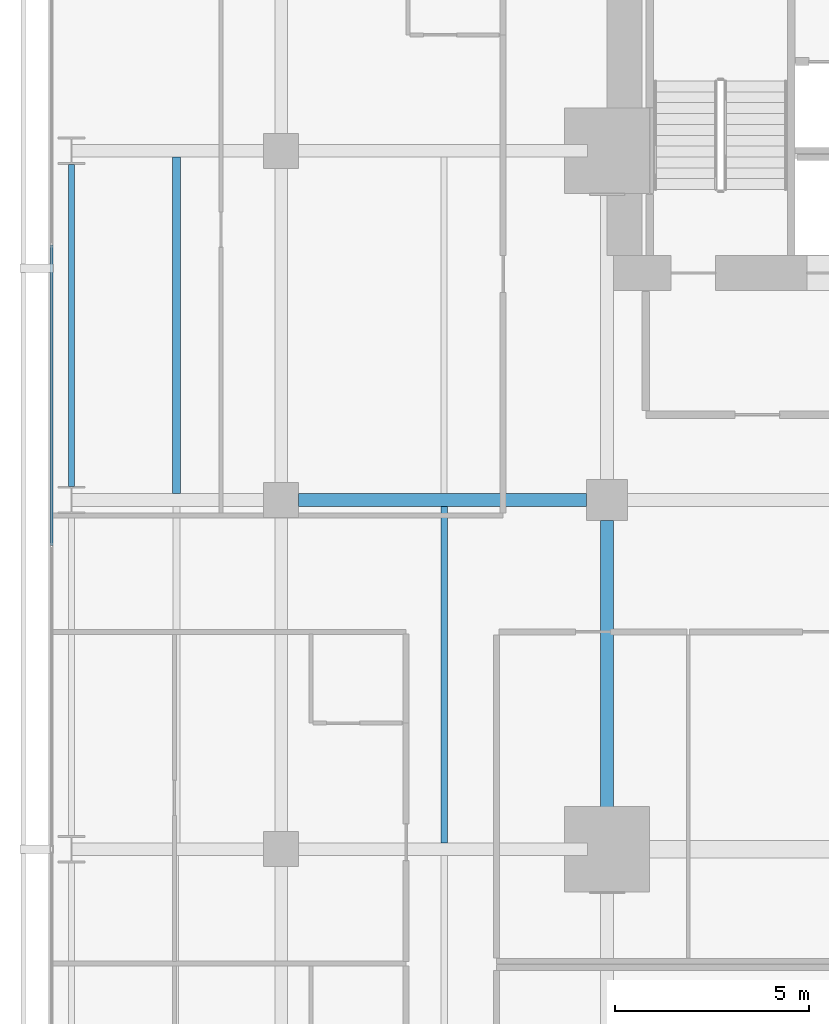
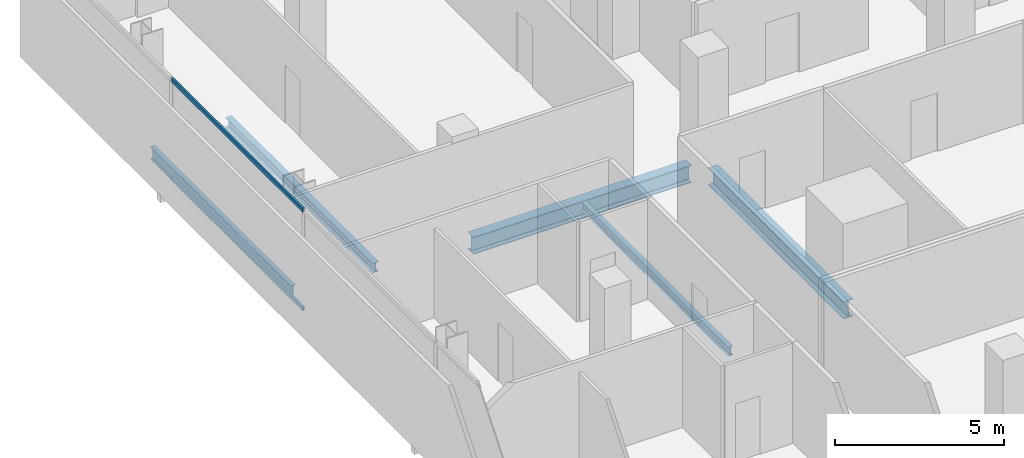
# One storey, part 22 of 40: 5 beams, 2 members, 1 element without a shape of its own.
"""IFC4 building model written with IfcOpenShell, lengths in metres."""

import ifcopenshell
import ifcopenshell.guid

model = None  # the IFC model being written
_history = None  # IfcOwnerHistory: only IFC2X3 demands one
_inside = {}  # id of a spatial element -> (the spatial element, [elements in it])
_under = {}  # id of a project, library or spatial element -> (it, [spatial elements below it])
_declared = {}  # id of a project -> (the project, [libraries it declares])
_typed = {}  # id of a type object -> (the type object, [elements of that type])
_made_of = {}  # id of a material, layer set ... -> (it, [elements and type objects made of it])


def new_model(schema):
    """Start an empty IFC model of exactly this schema.

    Asked for "IFC4X3", IfcOpenShell would pick the latest addendum, in which some entities
    have other attributes; the version numbers below select the first issue.
    IFC2X3 requires an IfcOwnerHistory on every rooted entity: one is made here for all.
    """
    global model, _history
    if schema == "IFC4X3":
        model = ifcopenshell.file(schema_version=(4, 3, 0, 0))
    else:
        model = ifcopenshell.file(schema=schema)
    _inside.clear()
    _under.clear()
    _declared.clear()
    _typed.clear()
    _made_of.clear()
    _history = None
    if model.schema == "IFC2X3":
        org = make("IfcOrganization", Name="unknown")
        user = make(
            "IfcPersonAndOrganization",
            ThePerson=make("IfcPerson", FamilyName="unknown"),
            TheOrganization=org,
        )
        app = make(
            "IfcApplication",
            ApplicationDeveloper=org,
            Version="unknown",
            ApplicationFullName="unknown",
            ApplicationIdentifier="unknown",
        )
        _history = make(
            "IfcOwnerHistory",
            OwningUser=user,
            OwningApplication=app,
            ChangeAction="ADDED",
            CreationDate=0,
        )
    return model


def make(cls, **values):
    """One entity of the class cls with the attributes given. An attribute that is None is left unset."""
    return model.create_entity(
        cls, **{name: value for name, value in values.items() if value is not None}
    )


def rooted(cls, **values):
    """An entity with a GlobalId (a new one), such as an element, a storey or a relation."""
    return make(cls, GlobalId=ifcopenshell.guid.new(), OwnerHistory=_history, **values)


def si_unit(unit_type, name, prefix=None):
    """IfcSIUnit, for example si_unit("LENGTHUNIT", "METRE", prefix="MILLI")."""
    return make("IfcSIUnit", UnitType=unit_type, Prefix=prefix, Name=name)


def assignment(units):
    """IfcUnitAssignment: the units of a project."""
    return None if units is None else make("IfcUnitAssignment", Units=units)


def point(xyz):
    """IfcCartesianPoint."""
    return None if xyz is None else make("IfcCartesianPoint", Coordinates=xyz)


def direction(xyz):
    """IfcDirection."""
    return None if xyz is None else make("IfcDirection", DirectionRatios=xyz)


def frame(location, z_axis=None, x_axis=None):
    """IfcAxis2Placement3D, a coordinate frame: its origin and axes. An axis left out is left unset."""
    return make(
        "IfcAxis2Placement3D",
        Location=point(location),
        Axis=direction(z_axis),
        RefDirection=direction(x_axis),
    )


def frame_2d(location, x_axis=None):
    """IfcAxis2Placement2D, a coordinate frame in the plane: its origin and x axis."""
    return make(
        "IfcAxis2Placement2D", Location=point(location), RefDirection=direction(x_axis)
    )


def origin():
    """The frame at (0, 0, 0) with its axes left unset."""
    return frame((0.0, 0.0, 0.0))


def origin_2d():
    """The frame at (0, 0) in the plane with its x axis left unset."""
    return frame_2d((0.0, 0.0))


def place(relative_to, where):
    """IfcLocalPlacement: puts the frame where relative to a parent placement (None: the world)."""
    return make(
        "IfcLocalPlacement", PlacementRelTo=relative_to, RelativePlacement=where
    )


def context(
    kind, dimensions, precision=None, world=None, true_north=None, identifier=None
):
    """IfcGeometricRepresentationContext, for example the 3D "Model" context."""
    return make(
        "IfcGeometricRepresentationContext",
        ContextIdentifier=identifier,
        ContextType=kind,
        CoordinateSpaceDimension=dimensions,
        Precision=precision,
        WorldCoordinateSystem=world,
        TrueNorth=true_north,
    )


def subcontext(parent, identifier, kind, view, scale=None):
    """IfcGeometricRepresentationSubContext, for example "Body" below "Model"."""
    return make(
        "IfcGeometricRepresentationSubContext",
        ContextIdentifier=identifier,
        ContextType=kind,
        ParentContext=parent,
        TargetScale=scale,
        TargetView=view,
    )


def project(units=None, contexts=None):
    """IfcProject with its units and contexts."""
    return rooted(
        "IfcProject",
        Name="project",
        RepresentationContexts=contexts,
        UnitsInContext=assignment(units),
    )


def spatial(cls, under=None, at=None, **own):
    """A site, building, storey or space (cls), placed at a placement, below another one or the project."""
    s = rooted(cls, ObjectPlacement=at, **own)
    if under is not None:
        _under.setdefault(under.id(), (under, []))[1].append(s)
    return s


def profile(cls, at=None, kind="AREA", **sizes):
    """A parametric profile (cls). Its sizes go by their IFC names, for example OverallWidth=200.0."""
    return make(cls, ProfileType=kind, Position=at, **sizes)


def hollow_rectangle(**sizes):
    """IfcRectangleHollowProfileDef."""
    return profile("IfcRectangleHollowProfileDef", **sizes)


def i_section(**sizes):
    """IfcIShapeProfileDef."""
    return profile("IfcIShapeProfileDef", **sizes)


def extrude(swept, where, along, depth):
    """IfcExtrudedAreaSolid: the profile swept, set in the frame where, extruded along a direction by depth."""
    return make(
        "IfcExtrudedAreaSolid",
        SweptArea=swept,
        Position=where,
        ExtrudedDirection=direction(along),
        Depth=depth,
    )


def shape(context_of_items, identifier, shape_type, items):
    """IfcShapeRepresentation: the items that make up one representation, for example the "Body"."""
    return make(
        "IfcShapeRepresentation",
        ContextOfItems=context_of_items,
        RepresentationIdentifier=identifier,
        RepresentationType=shape_type,
        Items=items,
    )


def material(Name=None, Category=None):
    """IfcMaterial."""
    return make("IfcMaterial", Name=Name, Category=Category)


def layer(
    of_material, thickness, ventilated=None, Name=None, Category=None, Priority=None
):
    """IfcMaterialLayer: one layer of a wall or slab, of a material (None: an air gap)."""
    return make(
        "IfcMaterialLayer",
        Material=of_material,
        LayerThickness=thickness,
        IsVentilated=ventilated,
        Name=Name,
        Category=Category,
        Priority=Priority,
    )


def layer_set(layers, Name=None):
    """IfcMaterialLayerSet."""
    return make("IfcMaterialLayerSet", MaterialLayers=layers, LayerSetName=Name)


def material_profile(
    of_material, cross_section, Name=None, Category=None, Priority=None
):
    """IfcMaterialProfile: a cross section and its material."""
    return make(
        "IfcMaterialProfile",
        Name=Name,
        Material=of_material,
        Profile=cross_section,
        Priority=Priority,
        Category=Category,
    )


def profile_set(profiles, Name=None, composite=None):
    """IfcMaterialProfileSet."""
    return make(
        "IfcMaterialProfileSet",
        Name=Name,
        MaterialProfiles=profiles,
        CompositeProfile=composite,
    )


def made_of(thing, what):
    """Note that an element or type object is made of a material, layer set ...; save() writes the relation."""
    if what is not None:
        _made_of.setdefault(what.id(), (what, []))[1].append(thing)
    return thing


def type_object(cls, material=None, **own):
    """A type object (cls), such as IfcWallType, which elements share."""
    return made_of(rooted(cls, **own), material)


def element(
    cls,
    number,
    at=None,
    inside=None,
    cuts=None,
    type_object=None,
    material=None,
    context=None,
    identifier="Body",
    shape_type=None,
    held_by="IfcProductDefinitionShape",
    body=None,
    shapes=None,
    **own,
):
    """One element of the class cls, such as IfcWall. Its Tag is "e" and its number.

    at: its placement. inside: the storey or other place that contains it. cuts: it is an
    opening in that element (IfcRelVoidsElement). A single representation is given by context,
    identifier, shape_type and body (its items); several are given by shapes. held_by: the class
    of the entity that holds the representations. save() writes the other relations.
    """
    e = rooted(cls, Tag="e%d" % number, ObjectPlacement=at, **own)
    if body is not None:
        shapes = [shape(context, identifier, shape_type, body)]
    if shapes is not None:
        e.Representation = make(held_by, Representations=shapes)
    if inside is not None:
        _inside.setdefault(inside.id(), (inside, []))[1].append(e)
    if cuts is not None:
        rooted(
            "IfcRelVoidsElement", RelatingBuildingElement=cuts, RelatedOpeningElement=e
        )
    if type_object is not None:
        _typed.setdefault(type_object.id(), (type_object, []))[1].append(e)
    return made_of(e, material)


def aggregate(whole, parts):
    """IfcRelAggregates: a whole, such as a stair, and the parts it consists of."""
    return rooted("IfcRelAggregates", RelatingObject=whole, RelatedObjects=parts)


def save(model, path):
    """Write the relations noted so far, then the file.

    IfcRelAggregates (storeys below a building ...), IfcRelContainedInSpatialStructure (elements
    in a storey), IfcRelDefinesByType, IfcRelAssociatesMaterial and IfcRelDeclares: one each for
    every whole, place, type object, material and project.
    """
    for whole, parts in _under.values():
        aggregate(whole, parts)
    for where, things in _inside.values():
        rooted(
            "IfcRelContainedInSpatialStructure",
            RelatedElements=things,
            RelatingStructure=where,
        )
    for kind, things in _typed.values():
        rooted("IfcRelDefinesByType", RelatedObjects=things, RelatingType=kind)
    for what, things in _made_of.values():
        rooted("IfcRelAssociatesMaterial", RelatedObjects=things, RelatingMaterial=what)
    for by, libraries in _declared.values():
        rooted("IfcRelDeclares", RelatingContext=by, RelatedDefinitions=libraries)
    model.write(path)


model = new_model("IFC4")

# Units and contexts
model_context = context("Model", 3, precision=1e-05, world=origin(), true_north=direction((0.0, 1.0)))
body_context = subcontext(model_context, "Body", "Model", "MODEL_VIEW")
ifc_project = project(units=[si_unit("LENGTHUNIT", "METRE"), si_unit("AREAUNIT", "SQUARE_METRE"), si_unit("VOLUMEUNIT", "CUBIC_METRE"), si_unit("PLANEANGLEUNIT", "RADIAN"), si_unit("MASSUNIT", "GRAM", prefix="KILO")], contexts=[model_context])

# Site, building, storey
site_placement = place(None, origin())
site = spatial("IfcSite", under=ifc_project, at=site_placement, CompositionType="ELEMENT")
building_placement = place(site_placement, origin())
building = spatial("IfcBuilding", under=site, at=building_placement, Name="Maruvema Waterfront Hotel and Observation Tower", CompositionType="ELEMENT")
storey_placement = place(building_placement, frame((0.0, 0.0, 73.14990234375)))
storey = spatial("IfcBuildingStorey", under=building, at=storey_placement, Name="L17", CompositionType="ELEMENT", Elevation=73.14990234375)

# Curtain wall, members
ifc_material_1 = material(Name="Anodised bronze aluminium and solar-control low-E IGU", Category="aluminium")
ifc_layer = layer(ifc_material_1, 0.159912109375, Name="Zone 1 Bronze Inner Thermal Curtain Wall System CW-02")
ifc_layer_set = layer_set([ifc_layer], Name="Anodised bronze aluminium and solar-control low-E IGU")
curtain_wall_type = type_object("IfcCurtainWallType", Name="Zone 1 Bronze Inner Thermal Curtain Wall System CW-02", PredefinedType="USERDEFINED", material=ifc_layer_set)
curtain_wall_placement = place(storey_placement, origin())
curtain_wall = element("IfcCurtainWall", 1, at=curtain_wall_placement, inside=storey, type_object=curtain_wall_type, Name="L17 Curtain Wall CW-L17-W", ObjectType="UNITISED CURTAIN WALL", PredefinedType="USERDEFINED")
ifc_material_2 = material(Name="Anodised architectural bronze aluminium", Category="aluminium")
ifc_material_profile_1 = material_profile(ifc_material_2, hollow_rectangle(XDim=0.070068359375, YDim=0.14990234375, WallThickness=0.00390625, at=origin_2d()), Name="ALU-T70x150")
ifc_profile_set_1 = profile_set([ifc_material_profile_1], Name="Anodised architectural bronze aluminium")
member_type = type_object("IfcMemberType", Name="Curtain Wall Horizontal Transom ALU-T70x150", PredefinedType="USERDEFINED", material=ifc_profile_set_1)
member_1_placement = place(storey_placement, frame((10.8798828125, 42.570068359375, 0.030029296875), z_axis=(0.0, -1.0, 0.0), x_axis=(1.0, 0.0, 0.0)))
member_1 = element("IfcMember", 2, at=member_1_placement, type_object=member_type, Name="CW-02 transom 2.1", ObjectType="TRANSOM", PredefinedType="USERDEFINED", context=body_context, shape_type="SweptSolid", body=[
    extrude(hollow_rectangle(XDim=0.070068359375, YDim=0.14990234375, WallThickness=0.00390625, at=origin_2d()), origin(), (0.0, 0.0, 1.0), 7.739990234375),
])
member_2_placement = place(storey_placement, frame((10.8798828125, 42.570068359375, 3.580078125), z_axis=(0.0, -1.0, 0.0), x_axis=(1.0, 0.0, 0.0)))
member_2 = element("IfcMember", 3, at=member_2_placement, type_object=member_type, Name="CW-02 transom 2.2", ObjectType="TRANSOM", PredefinedType="USERDEFINED", context=body_context, shape_type="SweptSolid", body=[
    extrude(hollow_rectangle(XDim=0.070068359375, YDim=0.14990234375, WallThickness=0.00390625, at=origin_2d()), origin(), (0.0, 0.0, 1.0), 7.739990234375),
])
aggregate(curtain_wall, [member_1, member_2])

# Beams
ifc_material_3 = material(Name="Steel ASTM A572 Grade 50", Category="steel")
ifc_material_profile_2 = material_profile(ifc_material_3, i_section(OverallWidth=0.153076171875, OverallDepth=0.455078125, WebThickness=0.008056640625, FlangeThickness=0.01318359375, FilletRadius=0.014892578125, at=origin_2d()), Name="W460x60.0")
ifc_profile_set_2 = profile_set([ifc_material_profile_2], Name="Steel ASTM A572 Grade 50")
beam_type_1 = type_object("IfcBeamType", Name="Perimeter Spandrel Beam W460x60.0", PredefinedType="SPANDREL", material=ifc_profile_set_2)
beam_1_placement = place(storey_placement, frame((11.39990234375, 36.35009765625, -0.46728515625), z_axis=(0.0, 1.0, 0.0), x_axis=(-1.0, 0.0, 0.0)))
element("IfcBeam", 4, at=beam_1_placement, inside=storey, type_object=beam_type_1, Name="L17 Floor Girder NS-04", PredefinedType="SPANDREL", context=body_context, shape_type="SweptSolid", body=[
    extrude(i_section(OverallWidth=0.153076171875, OverallDepth=0.455078125, WebThickness=0.008056640625, FlangeThickness=0.01318359375, FilletRadius=0.014892578125, at=origin_2d()), origin(), (0.0, 0.0, 1.0), 8.2998046875),
])
ifc_material_4 = material(Name="Steel ASTM A572 Grade 50", Category="steel")
ifc_material_profile_3 = material_profile(ifc_material_4, i_section(OverallWidth=0.326904296875, OverallDepth=0.6220703125, WebThickness=0.015380859375, FlangeThickness=0.0244140625, FilletRadius=0.01806640625, at=origin_2d()), Name="W610x195.0")
ifc_profile_set_3 = profile_set([ifc_material_profile_3], Name="Steel ASTM A572 Grade 50")
beam_type_2 = type_object("IfcBeamType", Name="Primary Floor Girder W610x195.0", PredefinedType="BEAM", material=ifc_profile_set_3)
beam_2_placement = place(storey_placement, frame((17.25, 36.0, -0.55078125), z_axis=(1.0, 0.0, 0.0), x_axis=(0.0, 1.0, 0.0)))
element("IfcBeam", 5, at=beam_2_placement, inside=storey, type_object=beam_type_2, Name="L17 Floor Girder EW-26", PredefinedType="BEAM", context=body_context, shape_type="SweptSolid", body=[
    extrude(i_section(OverallWidth=0.326904296875, OverallDepth=0.6220703125, WebThickness=0.015380859375, FlangeThickness=0.0244140625, FilletRadius=0.01806640625, at=origin_2d()), origin(), (0.0, 0.0, 1.0), 7.425048828125),
])
beam_3_placement = place(storey_placement, frame((25.199951171875, 27.5, -0.55078125), z_axis=(0.0, 1.0, 0.0), x_axis=(-1.0, 0.0, 0.0)))
element("IfcBeam", 6, at=beam_3_placement, inside=storey, type_object=beam_type_2, Name="L17 Floor Girder NS-14", PredefinedType="BEAM", context=body_context, shape_type="SweptSolid", body=[
    extrude(i_section(OverallWidth=0.326904296875, OverallDepth=0.6220703125, WebThickness=0.015380859375, FlangeThickness=0.0244140625, FilletRadius=0.01806640625, at=origin_2d()), origin(), (0.0, 0.0, 1.0), 7.97509765625),
])
ifc_material_5 = material(Name="Steel ASTM A572 Grade 50", Category="steel")
ifc_material_profile_4 = material_profile(ifc_material_5, i_section(OverallWidth=0.1650390625, OverallDepth=0.31005859375, WebThickness=0.005859375, FlangeThickness=0.009765625, FilletRadius=0.012939453125, at=origin_2d()), Name="W310x38.7")
ifc_profile_set_4 = profile_set([ifc_material_profile_4], Name="Steel ASTM A572 Grade 50")
beam_type_3 = type_object("IfcBeamType", Name="Secondary Floor Joist W310x38.7", PredefinedType="JOIST", material=ifc_profile_set_4)
beam_4_placement = place(storey_placement, frame((21.0, 27.16357421875, -0.39501953125), z_axis=(0.0, 1.0, 0.0), x_axis=(-1.0, 0.0, 0.0)))
element("IfcBeam", 7, at=beam_4_placement, inside=storey, type_object=beam_type_3, Name="L17 Secondary Floor Joist JS-08", PredefinedType="JOIST", context=body_context, shape_type="SweptSolid", body=[
    extrude(i_section(OverallWidth=0.1650390625, OverallDepth=0.31005859375, WebThickness=0.005859375, FlangeThickness=0.009765625, FilletRadius=0.012939453125, at=origin_2d()), origin(), (0.0, 0.0, 1.0), 8.6728515625),
])
ifc_material_6 = material(Name="Steel ASTM A572 Grade 50", Category="steel")
ifc_material_profile_5 = material_profile(ifc_material_6, i_section(OverallWidth=0.202880859375, OverallDepth=0.346923828125, WebThickness=0.0078125, FlangeThickness=0.013427734375, FilletRadius=0.014892578125, at=origin_2d()), Name="W360x64.0")
ifc_profile_set_5 = profile_set([ifc_material_profile_5], Name="Steel ASTM A572 Grade 50")
beam_type_4 = type_object("IfcBeamType", Name="Secondary Floor Joist W360x64.0", PredefinedType="JOIST", material=ifc_profile_set_5)
beam_5_placement = place(storey_placement, frame((14.10009765625, 36.16357421875, -0.413330078125), z_axis=(0.0, 1.0, 0.0), x_axis=(-1.0, 0.0, 0.0)))
element("IfcBeam", 8, at=beam_5_placement, inside=storey, type_object=beam_type_4, Name="L17 Secondary Floor Joist JS-04", PredefinedType="JOIST", context=body_context, shape_type="SweptSolid", body=[
    extrude(i_section(OverallWidth=0.202880859375, OverallDepth=0.346923828125, WebThickness=0.0078125, FlangeThickness=0.013427734375, FilletRadius=0.014892578125, at=origin_2d()), origin(), (0.0, 0.0, 1.0), 8.6728515625),
])

save(model, "model.ifc")
